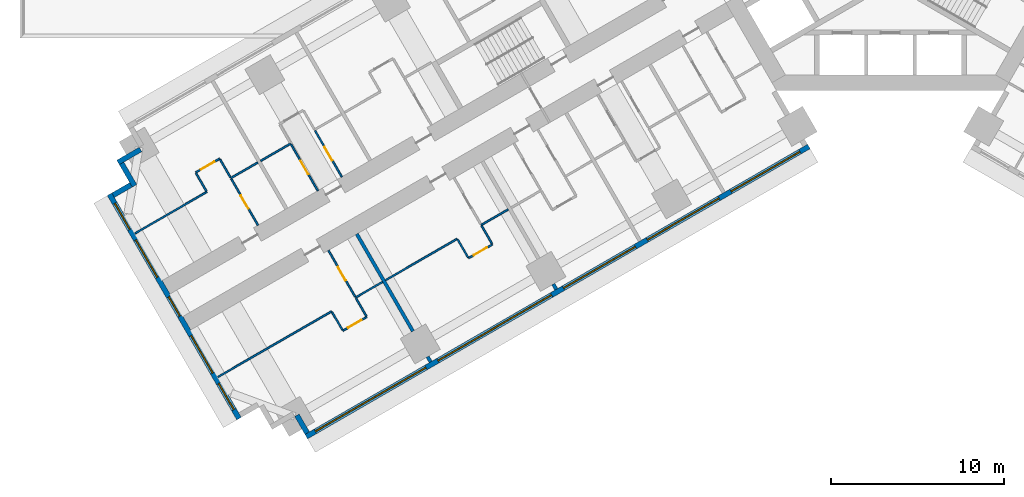
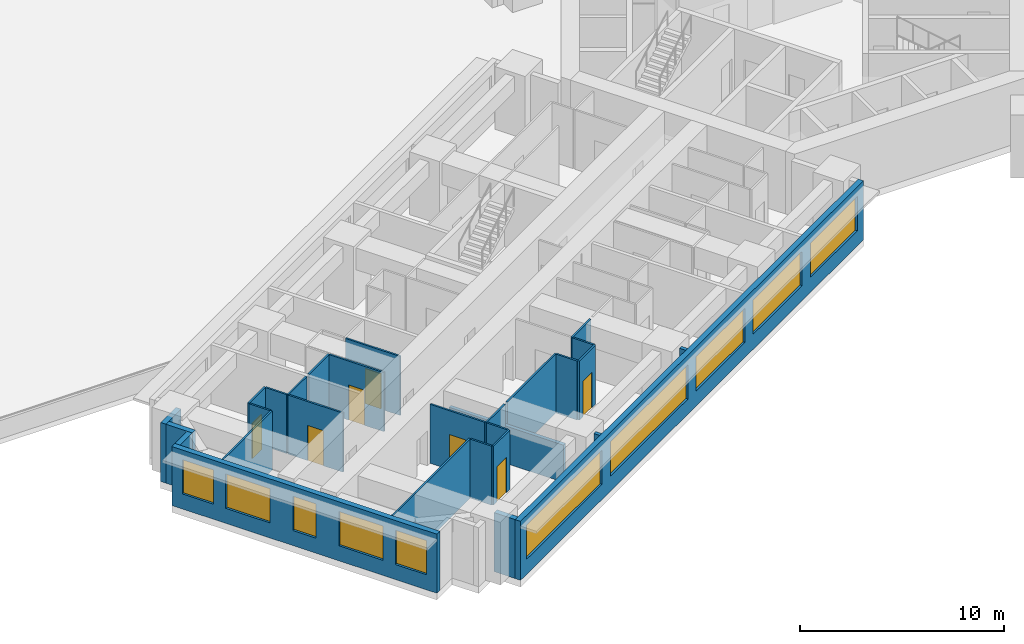
# One storey, part 3 of 18: 29 walls, 10 windows, 7 doors, 17 openings.
"""IFC4 building model written with IfcOpenShell, lengths in metres."""

import ifcopenshell
import ifcopenshell.guid

model = None  # the IFC model being written
_history = None  # IfcOwnerHistory: only IFC2X3 demands one
_inside = {}  # id of a spatial element -> (the spatial element, [elements in it])
_under = {}  # id of a project, library or spatial element -> (it, [spatial elements below it])
_declared = {}  # id of a project -> (the project, [libraries it declares])
_typed = {}  # id of a type object -> (the type object, [elements of that type])
_made_of = {}  # id of a material, layer set ... -> (it, [elements and type objects made of it])


def new_model(schema):
    """Start an empty IFC model of exactly this schema.

    Asked for "IFC4X3", IfcOpenShell would pick the latest addendum, in which some entities
    have other attributes; the version numbers below select the first issue.
    IFC2X3 requires an IfcOwnerHistory on every rooted entity: one is made here for all.
    """
    global model, _history
    if schema == "IFC4X3":
        model = ifcopenshell.file(schema_version=(4, 3, 0, 0))
    else:
        model = ifcopenshell.file(schema=schema)
    _inside.clear()
    _under.clear()
    _declared.clear()
    _typed.clear()
    _made_of.clear()
    _history = None
    if model.schema == "IFC2X3":
        org = make("IfcOrganization", Name="unknown")
        user = make(
            "IfcPersonAndOrganization",
            ThePerson=make("IfcPerson", FamilyName="unknown"),
            TheOrganization=org,
        )
        app = make(
            "IfcApplication",
            ApplicationDeveloper=org,
            Version="unknown",
            ApplicationFullName="unknown",
            ApplicationIdentifier="unknown",
        )
        _history = make(
            "IfcOwnerHistory",
            OwningUser=user,
            OwningApplication=app,
            ChangeAction="ADDED",
            CreationDate=0,
        )
    return model


def make(cls, **values):
    """One entity of the class cls with the attributes given. An attribute that is None is left unset."""
    return model.create_entity(
        cls, **{name: value for name, value in values.items() if value is not None}
    )


def rooted(cls, **values):
    """An entity with a GlobalId (a new one), such as an element, a storey or a relation."""
    return make(cls, GlobalId=ifcopenshell.guid.new(), OwnerHistory=_history, **values)


def si_unit(unit_type, name, prefix=None):
    """IfcSIUnit, for example si_unit("LENGTHUNIT", "METRE", prefix="MILLI")."""
    return make("IfcSIUnit", UnitType=unit_type, Prefix=prefix, Name=name)


def assignment(units):
    """IfcUnitAssignment: the units of a project."""
    return None if units is None else make("IfcUnitAssignment", Units=units)


def point(xyz):
    """IfcCartesianPoint."""
    return None if xyz is None else make("IfcCartesianPoint", Coordinates=xyz)


def direction(xyz):
    """IfcDirection."""
    return None if xyz is None else make("IfcDirection", DirectionRatios=xyz)


def frame(location, z_axis=None, x_axis=None):
    """IfcAxis2Placement3D, a coordinate frame: its origin and axes. An axis left out is left unset."""
    return make(
        "IfcAxis2Placement3D",
        Location=point(location),
        Axis=direction(z_axis),
        RefDirection=direction(x_axis),
    )


def frame_2d(location, x_axis=None):
    """IfcAxis2Placement2D, a coordinate frame in the plane: its origin and x axis."""
    return make(
        "IfcAxis2Placement2D", Location=point(location), RefDirection=direction(x_axis)
    )


def origin():
    """The frame at (0, 0, 0) with its axes left unset."""
    return frame((0.0, 0.0, 0.0))


def place(relative_to, where):
    """IfcLocalPlacement: puts the frame where relative to a parent placement (None: the world)."""
    return make(
        "IfcLocalPlacement", PlacementRelTo=relative_to, RelativePlacement=where
    )


def context(
    kind, dimensions, precision=None, world=None, true_north=None, identifier=None
):
    """IfcGeometricRepresentationContext, for example the 3D "Model" context."""
    return make(
        "IfcGeometricRepresentationContext",
        ContextIdentifier=identifier,
        ContextType=kind,
        CoordinateSpaceDimension=dimensions,
        Precision=precision,
        WorldCoordinateSystem=world,
        TrueNorth=true_north,
    )


def subcontext(parent, identifier, kind, view, scale=None):
    """IfcGeometricRepresentationSubContext, for example "Body" below "Model"."""
    return make(
        "IfcGeometricRepresentationSubContext",
        ContextIdentifier=identifier,
        ContextType=kind,
        ParentContext=parent,
        TargetScale=scale,
        TargetView=view,
    )


def project(units=None, contexts=None):
    """IfcProject with its units and contexts."""
    return rooted(
        "IfcProject",
        Name="project",
        RepresentationContexts=contexts,
        UnitsInContext=assignment(units),
    )


def spatial(cls, under=None, at=None, **own):
    """A site, building, storey or space (cls), placed at a placement, below another one or the project."""
    s = rooted(cls, ObjectPlacement=at, **own)
    if under is not None:
        _under.setdefault(under.id(), (under, []))[1].append(s)
    return s


def profile(cls, at=None, kind="AREA", **sizes):
    """A parametric profile (cls). Its sizes go by their IFC names, for example OverallWidth=200.0."""
    return make(cls, ProfileType=kind, Position=at, **sizes)


def rectangle(**sizes):
    """IfcRectangleProfileDef."""
    return profile("IfcRectangleProfileDef", **sizes)


def extrude(swept, where, along, depth):
    """IfcExtrudedAreaSolid: the profile swept, set in the frame where, extruded along a direction by depth."""
    return make(
        "IfcExtrudedAreaSolid",
        SweptArea=swept,
        Position=where,
        ExtrudedDirection=direction(along),
        Depth=depth,
    )


def shape(context_of_items, identifier, shape_type, items):
    """IfcShapeRepresentation: the items that make up one representation, for example the "Body"."""
    return make(
        "IfcShapeRepresentation",
        ContextOfItems=context_of_items,
        RepresentationIdentifier=identifier,
        RepresentationType=shape_type,
        Items=items,
    )


def material(Name=None, Category=None):
    """IfcMaterial."""
    return make("IfcMaterial", Name=Name, Category=Category)


def layer(
    of_material, thickness, ventilated=None, Name=None, Category=None, Priority=None
):
    """IfcMaterialLayer: one layer of a wall or slab, of a material (None: an air gap)."""
    return make(
        "IfcMaterialLayer",
        Material=of_material,
        LayerThickness=thickness,
        IsVentilated=ventilated,
        Name=Name,
        Category=Category,
        Priority=Priority,
    )


def layer_set(layers, Name=None):
    """IfcMaterialLayerSet."""
    return make("IfcMaterialLayerSet", MaterialLayers=layers, LayerSetName=Name)


def made_of(thing, what):
    """Note that an element or type object is made of a material, layer set ...; save() writes the relation."""
    if what is not None:
        _made_of.setdefault(what.id(), (what, []))[1].append(thing)
    return thing


def type_object(cls, material=None, **own):
    """A type object (cls), such as IfcWallType, which elements share."""
    return made_of(rooted(cls, **own), material)


def element(
    cls,
    number,
    at=None,
    inside=None,
    cuts=None,
    type_object=None,
    material=None,
    context=None,
    identifier="Body",
    shape_type=None,
    held_by="IfcProductDefinitionShape",
    body=None,
    shapes=None,
    **own,
):
    """One element of the class cls, such as IfcWall. Its Tag is "e" and its number.

    at: its placement. inside: the storey or other place that contains it. cuts: it is an
    opening in that element (IfcRelVoidsElement). A single representation is given by context,
    identifier, shape_type and body (its items); several are given by shapes. held_by: the class
    of the entity that holds the representations. save() writes the other relations.
    """
    e = rooted(cls, Tag="e%d" % number, ObjectPlacement=at, **own)
    if body is not None:
        shapes = [shape(context, identifier, shape_type, body)]
    if shapes is not None:
        e.Representation = make(held_by, Representations=shapes)
    if inside is not None:
        _inside.setdefault(inside.id(), (inside, []))[1].append(e)
    if cuts is not None:
        rooted(
            "IfcRelVoidsElement", RelatingBuildingElement=cuts, RelatedOpeningElement=e
        )
    if type_object is not None:
        _typed.setdefault(type_object.id(), (type_object, []))[1].append(e)
    return made_of(e, material)


def fill(opening, filler):
    """IfcRelFillsElement: the door or window that sits in an opening."""
    return rooted(
        "IfcRelFillsElement",
        RelatingOpeningElement=opening,
        RelatedBuildingElement=filler,
    )


def aggregate(whole, parts):
    """IfcRelAggregates: a whole, such as a stair, and the parts it consists of."""
    return rooted("IfcRelAggregates", RelatingObject=whole, RelatedObjects=parts)


def save(model, path):
    """Write the relations noted so far, then the file.

    IfcRelAggregates (storeys below a building ...), IfcRelContainedInSpatialStructure (elements
    in a storey), IfcRelDefinesByType, IfcRelAssociatesMaterial and IfcRelDeclares: one each for
    every whole, place, type object, material and project.
    """
    for whole, parts in _under.values():
        aggregate(whole, parts)
    for where, things in _inside.values():
        rooted(
            "IfcRelContainedInSpatialStructure",
            RelatedElements=things,
            RelatingStructure=where,
        )
    for kind, things in _typed.values():
        rooted("IfcRelDefinesByType", RelatedObjects=things, RelatingType=kind)
    for what, things in _made_of.values():
        rooted("IfcRelAssociatesMaterial", RelatedObjects=things, RelatingMaterial=what)
    for by, libraries in _declared.values():
        rooted("IfcRelDeclares", RelatingContext=by, RelatedDefinitions=libraries)
    model.write(path)


model = new_model("IFC4")

# Units and contexts
model_context = context("Model", 3, precision=1e-05, world=origin(), true_north=direction((0.0, 1.0)))
body_context = subcontext(model_context, "Body", "Model", "MODEL_VIEW")
ifc_project = project(units=[si_unit("LENGTHUNIT", "METRE"), si_unit("AREAUNIT", "SQUARE_METRE"), si_unit("VOLUMEUNIT", "CUBIC_METRE"), si_unit("PLANEANGLEUNIT", "RADIAN"), si_unit("MASSUNIT", "GRAM", prefix="KILO")], contexts=[model_context])

# Site, building, storey
site_placement = place(None, origin())
site = spatial("IfcSite", under=ifc_project, at=site_placement, CompositionType="ELEMENT")
building_placement = place(site_placement, origin())
building = spatial("IfcBuilding", under=site, at=building_placement, Name="Impinga Residences", CompositionType="ELEMENT")
storey_placement = place(building_placement, frame((0.0, 0.0, 26.0)))
storey = spatial("IfcBuildingStorey", under=building, at=storey_placement, Name="L05", CompositionType="ELEMENT", Elevation=26.0)

# Wall
ifc_material_1 = material(Name="Terracotta rainscreen on blockwork", Category="masonry")
ifc_layer_1 = layer(ifc_material_1, 0.300048828125)
ifc_layer_set_1 = layer_set([ifc_layer_1], Name="EW1 external wall, terracotta rainscreen on blockwork 300")
wall_type_1 = type_object("IfcWallType", Name="EW1 external wall, terracotta rainscreen on blockwork 300", PredefinedType="SOLIDWALL", material=ifc_layer_set_1)
wall_1_placement = place(storey_placement, frame((-33.7685546875, -31.274169921875, 0.0), z_axis=(0.0, 0.0, 1.0), x_axis=(-0.499940577336, 0.866059708757, 0.0)))
element("IfcWall", 1, at=wall_1_placement, inside=storey, type_object=wall_type_1, Name="External wall EW1 L05", PredefinedType="SOLIDWALL", context=body_context, shape_type="SweptSolid", body=[
    extrude(rectangle(XDim=1.195068359375, YDim=0.300048828125, at=frame_2d((0.59765625, 0.0))), origin(), (0.0, 0.0, 1.0), 3.530029296875),
])

# Wall, openings, windows
wall_2_placement = place(storey_placement, frame((-37.716552734375, -30.43603515625, 0.0), z_axis=(0.0, 0.0, 1.0), x_axis=(-0.499997186618, 0.866027028085, 0.0)))
wall_2 = element("IfcWall", 2, at=wall_2_placement, inside=storey, type_object=wall_type_1, Name="External wall EW1 L05", PredefinedType="SOLIDWALL", context=body_context, shape_type="SweptSolid", body=[
    extrude(rectangle(XDim=15.0, YDim=0.300048828125, at=frame_2d((7.5, 0.0))), origin(), (0.0, 0.0, 1.0), 3.530029296875),
])
opening_1_placement = place(wall_2_placement, frame((0.60009765625, 0.0, 0.89990234375)))
opening_1 = element("IfcOpeningElement", 3, at=opening_1_placement, cuts=wall_2, Name="Opening W1", PredefinedType="OPENING", context=body_context, shape_type="SweptSolid", body=[
    extrude(rectangle(XDim=1.75, YDim=2.050048828125, at=frame_2d((0.875, 1.02490234375))), frame((0.0, 0.159912109375, 0.0), z_axis=(0.0, -1.0, 0.0), x_axis=(1.0, 0.0, 0.0)), (0.0, 0.0, 1.0), 0.320068359375),
])
opening_2_placement = place(wall_2_placement, frame((3.050048828125, 0.0, 0.89990234375)))
opening_2 = element("IfcOpeningElement", 4, at=opening_2_placement, cuts=wall_2, Name="Opening W2", PredefinedType="OPENING", context=body_context, shape_type="SweptSolid", body=[
    extrude(rectangle(XDim=2.5, YDim=2.050048828125, at=frame_2d((1.25, 1.02490234375))), frame((0.0, 0.159912109375, 0.0), z_axis=(0.0, -1.0, 0.0), x_axis=(1.0, 0.0, 0.0)), (0.0, 0.0, 1.0), 0.320068359375),
])
opening_3_placement = place(wall_2_placement, frame((6.85009765625, 0.0, 0.89990234375)))
opening_3 = element("IfcOpeningElement", 5, at=opening_3_placement, cuts=wall_2, Name="Opening WE1", PredefinedType="OPENING", context=body_context, shape_type="SweptSolid", body=[
    extrude(rectangle(XDim=1.300048828125, YDim=2.050048828125, at=frame_2d((0.64990234375, 1.02490234375))), frame((0.0, 0.159912109375, 0.0), z_axis=(0.0, -1.0, 0.0), x_axis=(1.0, 0.0, 0.0)), (0.0, 0.0, 1.0), 0.320068359375),
])
opening_4_placement = place(wall_2_placement, frame((9.449951171875, 0.0, 0.89990234375)))
opening_4 = element("IfcOpeningElement", 6, at=opening_4_placement, cuts=wall_2, Name="Opening W2", PredefinedType="OPENING", context=body_context, shape_type="SweptSolid", body=[
    extrude(rectangle(XDim=2.5, YDim=2.050048828125, at=frame_2d((1.25, 1.02490234375))), frame((0.0, 0.159912109375, 0.0), z_axis=(0.0, -1.0, 0.0), x_axis=(1.0, 0.0, 0.0)), (0.0, 0.0, 1.0), 0.320068359375),
])
opening_5_placement = place(wall_2_placement, frame((12.64990234375, 0.0, 0.89990234375)))
opening_5 = element("IfcOpeningElement", 7, at=opening_5_placement, cuts=wall_2, Name="Opening W1", PredefinedType="OPENING", context=body_context, shape_type="SweptSolid", body=[
    extrude(rectangle(XDim=1.75, YDim=2.050048828125, at=frame_2d((0.875, 1.02490234375))), frame((0.0, 0.159912109375, 0.0), z_axis=(0.0, -1.0, 0.0), x_axis=(1.0, 0.0, 0.0)), (0.0, 0.0, 1.0), 0.320068359375),
])
ifc_material_2 = material(Name="Aluminium window, clear double glazing", Category="aluminium")
window_type_1 = type_object("IfcWindowType", Name="W1 ribbon window 1750x2050", PartitioningType="SINGLE_PANEL", PredefinedType="WINDOW", material=ifc_material_2)
window_1_placement = place(opening_1_placement, origin())
window_1 = element("IfcWindow", 8, at=window_1_placement, inside=storey, type_object=window_type_1, Name="Window L05", OverallHeight=2.050048828125, OverallWidth=1.75, PartitioningType="SINGLE_PANEL", PredefinedType="WINDOW", context=body_context, shape_type="SweptSolid", body=[
    extrude(rectangle(XDim=1.75, YDim=2.050048828125, at=frame_2d((0.875, 1.02490234375))), frame((0.0, 0.030029296875, 0.0), z_axis=(0.0, -1.0, 0.0), x_axis=(1.0, 0.0, 0.0)), (0.0, 0.0, 1.0), 0.06005859375),
])
fill(opening_1, window_1)
window_2_placement = place(opening_5_placement, origin())
window_2 = element("IfcWindow", 9, at=window_2_placement, inside=storey, type_object=window_type_1, Name="Window L05", OverallHeight=2.050048828125, OverallWidth=1.75, PartitioningType="SINGLE_PANEL", PredefinedType="WINDOW", context=body_context, shape_type="SweptSolid", body=[
    extrude(rectangle(XDim=1.75, YDim=2.050048828125, at=frame_2d((0.875, 1.02490234375))), frame((0.0, 0.030029296875, 0.0), z_axis=(0.0, -1.0, 0.0), x_axis=(1.0, 0.0, 0.0)), (0.0, 0.0, 1.0), 0.06005859375),
])
fill(opening_5, window_2)
window_type_2 = type_object("IfcWindowType", Name="W2 ribbon window 2500x2050", PartitioningType="SINGLE_PANEL", PredefinedType="WINDOW", material=ifc_material_2)
window_3_placement = place(opening_2_placement, origin())
window_3 = element("IfcWindow", 10, at=window_3_placement, inside=storey, type_object=window_type_2, Name="Window L05", OverallHeight=2.050048828125, OverallWidth=2.5, PartitioningType="SINGLE_PANEL", PredefinedType="WINDOW", context=body_context, shape_type="SweptSolid", body=[
    extrude(rectangle(XDim=2.5, YDim=2.050048828125, at=frame_2d((1.25, 1.02490234375))), frame((0.0, 0.030029296875, 0.0), z_axis=(0.0, -1.0, 0.0), x_axis=(1.0, 0.0, 0.0)), (0.0, 0.0, 1.0), 0.06005859375),
])
fill(opening_2, window_3)
window_4_placement = place(opening_4_placement, origin())
window_4 = element("IfcWindow", 11, at=window_4_placement, inside=storey, type_object=window_type_2, Name="Window L05", OverallHeight=2.050048828125, OverallWidth=2.5, PartitioningType="SINGLE_PANEL", PredefinedType="WINDOW", context=body_context, shape_type="SweptSolid", body=[
    extrude(rectangle(XDim=2.5, YDim=2.050048828125, at=frame_2d((1.25, 1.02490234375))), frame((0.0, 0.030029296875, 0.0), z_axis=(0.0, -1.0, 0.0), x_axis=(1.0, 0.0, 0.0)), (0.0, 0.0, 1.0), 0.06005859375),
])
fill(opening_4, window_4)
window_type_3 = type_object("IfcWindowType", Name="WE1 corridor window 1300x2050", PartitioningType="SINGLE_PANEL", PredefinedType="WINDOW", material=ifc_material_2)
window_5_placement = place(opening_3_placement, origin())
window_5 = element("IfcWindow", 12, at=window_5_placement, inside=storey, type_object=window_type_3, Name="Window L05", OverallHeight=2.050048828125, OverallWidth=1.300048828125, PartitioningType="SINGLE_PANEL", PredefinedType="WINDOW", context=body_context, shape_type="SweptSolid", body=[
    extrude(rectangle(XDim=1.300048828125, YDim=2.050048828125, at=frame_2d((0.64990234375, 1.02490234375))), frame((0.0, 0.030029296875, 0.0), z_axis=(0.0, -1.0, 0.0), x_axis=(1.0, 0.0, 0.0)), (0.0, 0.0, 1.0), 0.06005859375),
])
fill(opening_3, window_5)

# Walls
wall_3_placement = place(storey_placement, frame((-45.01171875, -17.50048828125, 0.0), z_axis=(0.0, 0.0, 1.0), x_axis=(0.866059708757, 0.499940577336, 0.0)))
element("IfcWall", 13, at=wall_3_placement, inside=storey, type_object=wall_type_1, Name="External wall EW1 L05", PredefinedType="SOLIDWALL", context=body_context, shape_type="SweptSolid", body=[
    extrude(rectangle(XDim=1.195068359375, YDim=0.300048828125, at=frame_2d((0.59765625, 0.0))), origin(), (0.0, 0.0, 1.0), 3.530029296875),
])
for number, where, z_axis, x_axis, name in (
    (14, (-43.767578125, -16.955322265625, 0.0), (0.0, 0.0, 1.0), (-0.499990139034, 0.866031096941, 0.0), "External wall EW1 L05"),
    (15, (-44.722412109375, -15.6015625, 0.0), (0.0, 0.0, 1.0), (0.866031096941, 0.499990139034, 0.0), "External wall EW1 L05"),
):
    element("IfcWall", number, at=place(storey_placement, frame(where, z_axis=z_axis, x_axis=x_axis)), inside=storey, type_object=wall_type_1, Name=name, PredefinedType="SOLIDWALL", context=body_context, shape_type="SweptSolid", body=[
        extrude(rectangle(XDim=1.5, YDim=0.300048828125, at=frame_2d((0.75, 0.0))), origin(), (0.0, 0.0, 1.0), 3.530029296875),
    ])

# Wall, openings, windows
wall_4_placement = place(storey_placement, frame((-4.72509765625, -14.67919921875, 0.0), z_axis=(0.0, 0.0, 1.0), x_axis=(-0.866024291668, -0.500001926238, 0.0)))
wall_4 = element("IfcWall", 16, at=wall_4_placement, inside=storey, type_object=wall_type_1, Name="External wall EW1 L05", PredefinedType="SOLIDWALL", context=body_context, shape_type="SweptSolid", body=[
    extrude(rectangle(XDim=33.599853515625, YDim=0.300048828125, at=frame_2d((16.7998046875, 0.0))), origin(), (0.0, 0.0, 1.0), 3.530029296875),
])
opening_6_placement = place(wall_4_placement, frame((0.60009765625, 0.0, 0.89990234375)))
opening_6 = element("IfcOpeningElement", 17, at=opening_6_placement, cuts=wall_4, Name="Opening W3", PredefinedType="OPENING", context=body_context, shape_type="SweptSolid", body=[
    extrude(rectangle(XDim=4.60009765625, YDim=2.050048828125, at=frame_2d((2.300048828125, 1.02490234375))), frame((0.0, 0.159912109375, 0.0), z_axis=(0.0, -1.0, 0.0), x_axis=(1.0, 0.0, 0.0)), (0.0, 0.0, 1.0), 0.320068359375),
])
opening_7_placement = place(wall_4_placement, frame((6.0, 0.0, 0.89990234375)))
opening_7 = element("IfcOpeningElement", 18, at=opening_7_placement, cuts=wall_4, Name="Opening W8", PredefinedType="OPENING", context=body_context, shape_type="SweptSolid", body=[
    extrude(rectangle(XDim=4.800048828125, YDim=2.050048828125, at=frame_2d((2.39990234375, 1.02490234375))), frame((0.0, 0.159912109375, 0.0), z_axis=(0.0, -1.0, 0.0), x_axis=(1.0, 0.0, 0.0)), (0.0, 0.0, 1.0), 0.320068359375),
])
opening_8_placement = place(wall_4_placement, frame((11.60009765625, 0.0, 0.89990234375)))
opening_8 = element("IfcOpeningElement", 19, at=opening_8_placement, cuts=wall_4, Name="Opening W8", PredefinedType="OPENING", context=body_context, shape_type="SweptSolid", body=[
    extrude(rectangle(XDim=4.800048828125, YDim=2.050048828125, at=frame_2d((2.39990234375, 1.02490234375))), frame((0.0, 0.159912109375, 0.0), z_axis=(0.0, -1.0, 0.0), x_axis=(1.0, 0.0, 0.0)), (0.0, 0.0, 1.0), 0.320068359375),
])
opening_9_placement = place(wall_4_placement, frame((17.199951171875, 0.0, 0.89990234375)))
opening_9 = element("IfcOpeningElement", 20, at=opening_9_placement, cuts=wall_4, Name="Opening W5", PredefinedType="OPENING", context=body_context, shape_type="SweptSolid", body=[
    extrude(rectangle(XDim=7.60009765625, YDim=2.050048828125, at=frame_2d((3.800048828125, 1.02490234375))), frame((0.0, 0.159912109375, 0.0), z_axis=(0.0, -1.0, 0.0), x_axis=(1.0, 0.0, 0.0)), (0.0, 0.0, 1.0), 0.320068359375),
])
opening_10_placement = place(wall_4_placement, frame((25.60009765625, 0.0, 0.89990234375)))
opening_10 = element("IfcOpeningElement", 21, at=opening_10_placement, cuts=wall_4, Name="Opening W12", PredefinedType="OPENING", context=body_context, shape_type="SweptSolid", body=[
    extrude(rectangle(XDim=7.39990234375, YDim=2.050048828125, at=frame_2d((3.699951171875, 1.02490234375))), frame((0.0, 0.159912109375, 0.0), z_axis=(0.0, -1.0, 0.0), x_axis=(1.0, 0.0, 0.0)), (0.0, 0.0, 1.0), 0.320068359375),
])
window_type_4 = type_object("IfcWindowType", Name="W12 ribbon window 7400x2050", PartitioningType="SINGLE_PANEL", PredefinedType="WINDOW", material=ifc_material_2)
window_6_placement = place(opening_10_placement, origin())
window_6 = element("IfcWindow", 22, at=window_6_placement, inside=storey, type_object=window_type_4, Name="Window L05", OverallHeight=2.050048828125, OverallWidth=7.39990234375, PartitioningType="SINGLE_PANEL", PredefinedType="WINDOW", context=body_context, shape_type="SweptSolid", body=[
    extrude(rectangle(XDim=7.39990234375, YDim=2.050048828125, at=frame_2d((3.699951171875, 1.02490234375))), frame((0.0, 0.030029296875, 0.0), z_axis=(0.0, -1.0, 0.0), x_axis=(1.0, 0.0, 0.0)), (0.0, 0.0, 1.0), 0.06005859375),
])
fill(opening_10, window_6)
window_type_5 = type_object("IfcWindowType", Name="W3 ribbon window 4600x2050", PartitioningType="SINGLE_PANEL", PredefinedType="WINDOW", material=ifc_material_2)
window_7_placement = place(opening_6_placement, origin())
window_7 = element("IfcWindow", 23, at=window_7_placement, inside=storey, type_object=window_type_5, Name="Window L05", OverallHeight=2.050048828125, OverallWidth=4.60009765625, PartitioningType="SINGLE_PANEL", PredefinedType="WINDOW", context=body_context, shape_type="SweptSolid", body=[
    extrude(rectangle(XDim=4.60009765625, YDim=2.050048828125, at=frame_2d((2.300048828125, 1.02490234375))), frame((0.0, 0.030029296875, 0.0), z_axis=(0.0, -1.0, 0.0), x_axis=(1.0, 0.0, 0.0)), (0.0, 0.0, 1.0), 0.06005859375),
])
fill(opening_6, window_7)
window_type_6 = type_object("IfcWindowType", Name="W5 ribbon window 7600x2050", PartitioningType="SINGLE_PANEL", PredefinedType="WINDOW", material=ifc_material_2)
window_8_placement = place(opening_9_placement, origin())
window_8 = element("IfcWindow", 24, at=window_8_placement, inside=storey, type_object=window_type_6, Name="Window L05", OverallHeight=2.050048828125, OverallWidth=7.60009765625, PartitioningType="SINGLE_PANEL", PredefinedType="WINDOW", context=body_context, shape_type="SweptSolid", body=[
    extrude(rectangle(XDim=7.60009765625, YDim=2.050048828125, at=frame_2d((3.800048828125, 1.02490234375))), frame((0.0, 0.030029296875, 0.0), z_axis=(0.0, -1.0, 0.0), x_axis=(1.0, 0.0, 0.0)), (0.0, 0.0, 1.0), 0.06005859375),
])
fill(opening_9, window_8)
window_type_7 = type_object("IfcWindowType", Name="W8 ribbon window 4800x2050", PartitioningType="SINGLE_PANEL", PredefinedType="WINDOW", material=ifc_material_2)
window_9_placement = place(opening_7_placement, origin())
window_9 = element("IfcWindow", 25, at=window_9_placement, inside=storey, type_object=window_type_7, Name="Window L05", OverallHeight=2.050048828125, OverallWidth=4.800048828125, PartitioningType="SINGLE_PANEL", PredefinedType="WINDOW", context=body_context, shape_type="SweptSolid", body=[
    extrude(rectangle(XDim=4.800048828125, YDim=2.050048828125, at=frame_2d((2.39990234375, 1.02490234375))), frame((0.0, 0.030029296875, 0.0), z_axis=(0.0, -1.0, 0.0), x_axis=(1.0, 0.0, 0.0)), (0.0, 0.0, 1.0), 0.06005859375),
])
fill(opening_7, window_9)
window_10_placement = place(opening_8_placement, origin())
window_10 = element("IfcWindow", 26, at=window_10_placement, inside=storey, type_object=window_type_7, Name="Window L05", OverallHeight=2.050048828125, OverallWidth=4.800048828125, PartitioningType="SINGLE_PANEL", PredefinedType="WINDOW", context=body_context, shape_type="SweptSolid", body=[
    extrude(rectangle(XDim=4.800048828125, YDim=2.050048828125, at=frame_2d((2.39990234375, 1.02490234375))), frame((0.0, 0.030029296875, 0.0), z_axis=(0.0, -1.0, 0.0), x_axis=(1.0, 0.0, 0.0)), (0.0, 0.0, 1.0), 0.06005859375),
])
fill(opening_8, window_10)

# Walls
ifc_material_3 = material(Name="Gypsum board on steel studs", Category="steel")
ifc_layer_2 = layer(ifc_material_3, 0.10009765625)
ifc_layer_set_2 = layer_set([ifc_layer_2], Name="Gypsum board on steel studs")
wall_type_2 = type_object("IfcWallType", Name="IP1 partition 100", PredefinedType="PARTITIONING", material=ifc_layer_set_2)
wall_5_placement = place(storey_placement, frame((-22.1357421875, -18.32275390625, 0.0), z_axis=(0.0, 0.0, 1.0), x_axis=(-0.866047807691, -0.499961193289, 0.0)))
element("IfcWall", 27, at=wall_5_placement, inside=storey, type_object=wall_type_2, Name="Partition L05-WA4:DIV0", PredefinedType="PARTITIONING", context=body_context, shape_type="SweptSolid", body=[
    extrude(rectangle(XDim=1.800048828125, YDim=0.10009765625, at=frame_2d((0.89990234375, 0.0))), origin(), (0.0, 0.0, 1.0), 3.530029296875),
])
wall_6_placement = place(storey_placement, frame((-25.080322265625, -20.022705078125, 0.0), z_axis=(0.0, 0.0, 1.0), x_axis=(-0.866037363387, -0.499979284789, 0.0)))
element("IfcWall", 28, at=wall_6_placement, inside=storey, type_object=wall_type_2, Name="Partition L05-WA4:DIV1", PredefinedType="PARTITIONING", context=body_context, shape_type="SweptSolid", body=[
    extrude(rectangle(XDim=4.800048828125, YDim=0.10009765625, at=frame_2d((2.39990234375, 0.0))), origin(), (0.0, 0.0, 1.0), 3.530029296875),
])

# Wall, opening, door
wall_7_placement = place(storey_placement, frame((-23.044677734375, -20.3486328125, 0.0), z_axis=(0.0, 0.0, 1.0), x_axis=(-0.866094119867, -0.499880961361, 0.0)))
wall_7 = element("IfcWall", 29, at=wall_7_placement, inside=storey, type_object=wall_type_2, Name="Partition L05-WA4:STRIP", PredefinedType="PARTITIONING", context=body_context, shape_type="SweptSolid", body=[
    extrude(rectangle(XDim=1.60009765625, YDim=0.10009765625, at=frame_2d((0.800048828125, 0.0))), origin(), (0.0, 0.0, 1.0), 3.530029296875),
])
opening_11_placement = place(wall_7_placement, frame((0.35009765625, 0.0, 0.0)))
opening_11 = element("IfcOpeningElement", 30, at=opening_11_placement, cuts=wall_7, Name="Opening D2", PredefinedType="OPENING", context=body_context, shape_type="SweptSolid", body=[
    extrude(rectangle(XDim=0.89990234375, YDim=2.10009765625, at=frame_2d((0.449951171875, 1.050048828125))), frame((0.0, 0.06005859375, 0.0), z_axis=(0.0, -1.0, 0.0), x_axis=(1.0, 0.0, 0.0)), (0.0, 0.0, 1.0), 0.1201171875),
])
ifc_material_4 = material(Name="Timber door set", Category="wood")
door_type = type_object("IfcDoorType", Name="D2 internal door 900x2100", OperationType="SINGLE_SWING_LEFT", PredefinedType="DOOR", material=ifc_material_4)
door_1_placement = place(opening_11_placement, origin())
door_1 = element("IfcDoor", 31, at=door_1_placement, inside=storey, type_object=door_type, Name="Apartment L05-WA4 room door", OperationType="SINGLE_SWING_LEFT", OverallHeight=2.10009765625, OverallWidth=0.89990234375, PredefinedType="DOOR", context=body_context, shape_type="SweptSolid", body=[
    extrude(rectangle(XDim=0.89990234375, YDim=2.10009765625, at=frame_2d((0.449951171875, 1.050048828125))), frame((0.0, 0.02490234375, 0.0), z_axis=(0.0, -1.0, 0.0), x_axis=(1.0, 0.0, 0.0)), (0.0, 0.0, 1.0), 0.050048828125),
])
fill(opening_11, door_1)

# Walls
for number, where, z_axis, x_axis, name in (
    (32, (-23.669677734375, -19.265869140625, 0.0), (0.0, 0.0, 1.0), (0.500033551112, -0.866006032174, 0.0), "Partition L05-WA4:SE0"),
    (33, (-25.055419921875, -20.06591796875, 0.0), (0.0, 0.0, 1.0), (0.500033551112, -0.866006032174, 0.0), "Partition L05-WA4:SE1"),
):
    element("IfcWall", number, at=place(storey_placement, frame(where, z_axis=z_axis, x_axis=x_axis)), inside=storey, type_object=wall_type_2, Name=name, PredefinedType="PARTITIONING", context=body_context, shape_type="SweptSolid", body=[
        extrude(rectangle(XDim=1.2001953125, YDim=0.10009765625, at=frame_2d((0.60009765625, 0.0))), origin(), (0.0, 0.0, 1.0), 3.530029296875),
    ])
wall_8_placement = place(storey_placement, frame((-29.410400390625, -22.522705078125, 0.0), z_axis=(0.0, 0.0, 1.0), x_axis=(-0.866047807691, -0.499961193289, 0.0)))
element("IfcWall", 34, at=wall_8_placement, inside=storey, type_object=wall_type_2, Name="Partition L05-WA5:DIV0", PredefinedType="PARTITIONING", context=body_context, shape_type="SweptSolid", body=[
    extrude(rectangle(XDim=1.800048828125, YDim=0.10009765625, at=frame_2d((0.89990234375, 0.0))), origin(), (0.0, 0.0, 1.0), 3.530029296875),
])
wall_9_placement = place(storey_placement, frame((-32.35498046875, -24.22265625, 0.0), z_axis=(0.0, 0.0, 1.0), x_axis=(-0.866022425744, -0.500005158081, 0.0)))
element("IfcWall", 35, at=wall_9_placement, inside=storey, type_object=wall_type_2, Name="Partition L05-WA5:DIV1", PredefinedType="PARTITIONING", context=body_context, shape_type="SweptSolid", body=[
    extrude(rectangle(XDim=7.60009765625, YDim=0.10009765625, at=frame_2d((3.800048828125, 0.0))), origin(), (0.0, 0.0, 1.0), 3.530029296875),
])

# Wall, opening, door
wall_10_placement = place(storey_placement, frame((-30.3193359375, -24.548583984375, 0.0), z_axis=(0.0, 0.0, 1.0), x_axis=(-0.865989903783, -0.500061482766, 0.0)))
wall_10 = element("IfcWall", 36, at=wall_10_placement, inside=storey, type_object=wall_type_2, Name="Partition L05-WA5:STRIP", PredefinedType="PARTITIONING", context=body_context, shape_type="SweptSolid", body=[
    extrude(rectangle(XDim=1.599853515625, YDim=0.10009765625, at=frame_2d((0.7998046875, 0.0))), origin(), (0.0, 0.0, 1.0), 3.530029296875),
])
opening_12_placement = place(wall_10_placement, frame((0.35009765625, 0.0, 0.0)))
opening_12 = element("IfcOpeningElement", 37, at=opening_12_placement, cuts=wall_10, Name="Opening D2", PredefinedType="OPENING", context=body_context, shape_type="SweptSolid", body=[
    extrude(rectangle(XDim=0.89990234375, YDim=2.10009765625, at=frame_2d((0.449951171875, 1.050048828125))), frame((0.0, 0.06005859375, 0.0), z_axis=(0.0, -1.0, 0.0), x_axis=(1.0, 0.0, 0.0)), (0.0, 0.0, 1.0), 0.1201171875),
])
door_2_placement = place(opening_12_placement, origin())
door_2 = element("IfcDoor", 38, at=door_2_placement, inside=storey, type_object=door_type, Name="Apartment L05-WA5 room door", OperationType="SINGLE_SWING_LEFT", OverallHeight=2.10009765625, OverallWidth=0.89990234375, PredefinedType="DOOR", context=body_context, shape_type="SweptSolid", body=[
    extrude(rectangle(XDim=0.89990234375, YDim=2.10009765625, at=frame_2d((0.449951171875, 1.050048828125))), frame((0.0, 0.02490234375, 0.0), z_axis=(0.0, -1.0, 0.0), x_axis=(1.0, 0.0, 0.0)), (0.0, 0.0, 1.0), 0.050048828125),
])
fill(opening_12, door_2)

# Walls
for number, where, z_axis, x_axis, name in (
    (39, (-30.9443359375, -23.466064453125, 0.0), (0.0, 0.0, 1.0), (0.50012165622, -0.865955154139, 0.0), "Partition L05-WA5:SE0"),
    (40, (-32.329833984375, -24.265869140625, 0.0), (0.0, 0.0, 1.0), (0.499880961361, -0.866094119867, 0.0), "Partition L05-WA5:SE1"),
):
    element("IfcWall", number, at=place(storey_placement, frame(where, z_axis=z_axis, x_axis=x_axis)), inside=storey, type_object=wall_type_2, Name=name, PredefinedType="PARTITIONING", context=body_context, shape_type="SweptSolid", body=[
        extrude(rectangle(XDim=1.199951171875, YDim=0.10009765625, at=frame_2d((0.60009765625, 0.0))), origin(), (0.0, 0.0, 1.0), 3.530029296875),
    ])

# Wall, opening, door
wall_11_placement = place(storey_placement, frame((-32.544189453125, -20.69482421875, 0.0), z_axis=(0.0, 0.0, 1.0), x_axis=(0.499967891604, -0.866043940782, 0.0)))
wall_11 = element("IfcWall", 41, at=wall_11_placement, inside=storey, type_object=wall_type_2, Name="Partition L05-WA5:IB1", PredefinedType="PARTITIONING", context=body_context, shape_type="SweptSolid", body=[
    extrude(rectangle(XDim=3.099853515625, YDim=0.10009765625, at=frame_2d((1.5498046875, 0.0))), origin(), (0.0, 0.0, 1.0), 3.530029296875),
])
opening_13_placement = place(wall_11_placement, frame((1.10009765625, 0.0, 0.0)))
opening_13 = element("IfcOpeningElement", 42, at=opening_13_placement, cuts=wall_11, Name="Opening D2", PredefinedType="OPENING", context=body_context, shape_type="SweptSolid", body=[
    extrude(rectangle(XDim=0.89990234375, YDim=2.10009765625, at=frame_2d((0.449951171875, 1.050048828125))), frame((0.0, 0.06005859375, 0.0), z_axis=(0.0, -1.0, 0.0), x_axis=(1.0, 0.0, 0.0)), (0.0, 0.0, 1.0), 0.1201171875),
])
door_3_placement = place(opening_13_placement, origin())
door_3 = element("IfcDoor", 43, at=door_3_placement, inside=storey, type_object=door_type, Name="Apartment L05-WA5 bathroom door", OperationType="SINGLE_SWING_LEFT", OverallHeight=2.10009765625, OverallWidth=0.89990234375, PredefinedType="DOOR", context=body_context, shape_type="SweptSolid", body=[
    extrude(rectangle(XDim=0.89990234375, YDim=2.10009765625, at=frame_2d((0.449951171875, 1.050048828125))), frame((0.0, 0.02490234375, 0.0), z_axis=(0.0, -1.0, 0.0), x_axis=(1.0, 0.0, 0.0)), (0.0, 0.0, 1.0), 0.050048828125),
])
fill(opening_13, door_3)

# Wall
wall_12_placement = place(storey_placement, frame((-34.72998046875, -14.5087890625, 0.0), z_axis=(0.0, 0.0, 1.0), x_axis=(-0.866041268327, -0.499972520799, 0.0)))
element("IfcWall", 44, at=wall_12_placement, inside=storey, type_object=wall_type_2, Name="Partition L05-WF3:DIV1", PredefinedType="PARTITIONING", context=body_context, shape_type="SweptSolid", body=[
    extrude(rectangle(XDim=2.0, YDim=0.10009765625, at=frame_2d((1.0, 0.0))), origin(), (0.0, 0.0, 1.0), 3.530029296875),
])

# Wall, opening, door
wall_13_placement = place(storey_placement, frame((-31.76953125, -16.436767578125, 0.0), z_axis=(0.0, 0.0, 1.0), x_axis=(-0.499967891604, 0.866043940782, 0.0)))
wall_13 = element("IfcWall", 45, at=wall_13_placement, inside=storey, type_object=wall_type_2, Name="Partition L05-WF3:IB1", PredefinedType="PARTITIONING", context=body_context, shape_type="SweptSolid", body=[
    extrude(rectangle(XDim=3.099853515625, YDim=0.10009765625, at=frame_2d((1.5498046875, 0.0))), origin(), (0.0, 0.0, 1.0), 3.530029296875),
])
opening_14_placement = place(wall_13_placement, frame((1.10009765625, 0.0, 0.0)))
opening_14 = element("IfcOpeningElement", 46, at=opening_14_placement, cuts=wall_13, Name="Opening D2", PredefinedType="OPENING", context=body_context, shape_type="SweptSolid", body=[
    extrude(rectangle(XDim=0.89990234375, YDim=2.10009765625, at=frame_2d((0.449951171875, 1.050048828125))), frame((0.0, 0.06005859375, 0.0), z_axis=(0.0, -1.0, 0.0), x_axis=(1.0, 0.0, 0.0)), (0.0, 0.0, 1.0), 0.1201171875),
])
door_4_placement = place(opening_14_placement, origin())
door_4 = element("IfcDoor", 47, at=door_4_placement, inside=storey, type_object=door_type, Name="Apartment L05-WF3 bathroom door", OperationType="SINGLE_SWING_LEFT", OverallHeight=2.10009765625, OverallWidth=0.89990234375, PredefinedType="DOOR", context=body_context, shape_type="SweptSolid", body=[
    extrude(rectangle(XDim=0.89990234375, YDim=2.10009765625, at=frame_2d((0.449951171875, 1.050048828125))), frame((0.0, 0.02490234375, 0.0), z_axis=(0.0, -1.0, 0.0), x_axis=(1.0, 0.0, 0.0)), (0.0, 0.0, 1.0), 0.050048828125),
])
fill(opening_14, door_4)

wall_14_placement = place(storey_placement, frame((-33.155029296875, -17.23681640625, 0.0), z_axis=(0.0, 0.0, 1.0), x_axis=(-0.500026960575, 0.86600983753, 0.0)))
wall_14 = element("IfcWall", 48, at=wall_14_placement, inside=storey, type_object=wall_type_2, Name="Partition L05-WF3:IB2", PredefinedType="PARTITIONING", context=body_context, shape_type="SweptSolid", body=[
    extrude(rectangle(XDim=3.099853515625, YDim=0.10009765625, at=frame_2d((1.5498046875, 0.0))), origin(), (0.0, 0.0, 1.0), 3.530029296875),
])
opening_15_placement = place(wall_14_placement, frame((1.10009765625, 0.0, 0.0)))
opening_15 = element("IfcOpeningElement", 49, at=opening_15_placement, cuts=wall_14, Name="Opening D2", PredefinedType="OPENING", context=body_context, shape_type="SweptSolid", body=[
    extrude(rectangle(XDim=0.89990234375, YDim=2.10009765625, at=frame_2d((0.449951171875, 1.050048828125))), frame((0.0, 0.06005859375, 0.0), z_axis=(0.0, -1.0, 0.0), x_axis=(1.0, 0.0, 0.0)), (0.0, 0.0, 1.0), 0.1201171875),
])
door_5_placement = place(opening_15_placement, origin())
door_5 = element("IfcDoor", 50, at=door_5_placement, inside=storey, type_object=door_type, Name="Apartment L05-WF3 WC door", OperationType="SINGLE_SWING_LEFT", OverallHeight=2.10009765625, OverallWidth=0.89990234375, PredefinedType="DOOR", context=body_context, shape_type="SweptSolid", body=[
    extrude(rectangle(XDim=0.89990234375, YDim=2.10009765625, at=frame_2d((0.449951171875, 1.050048828125))), frame((0.0, 0.02490234375, 0.0), z_axis=(0.0, -1.0, 0.0), x_axis=(1.0, 0.0, 0.0)), (0.0, 0.0, 1.0), 0.050048828125),
])
fill(opening_15, door_5)

# Walls
wall_15_placement = place(storey_placement, frame((-36.63525390625, -15.60888671875, 0.0), z_axis=(0.0, 0.0, 1.0), x_axis=(-0.866047807691, -0.499961193289, 0.0)))
element("IfcWall", 51, at=wall_15_placement, inside=storey, type_object=wall_type_2, Name="Partition L05-WF4:DIV0", PredefinedType="PARTITIONING", context=body_context, shape_type="SweptSolid", body=[
    extrude(rectangle(XDim=1.800048828125, YDim=0.10009765625, at=frame_2d((0.89990234375, 0.0))), origin(), (0.0, 0.0, 1.0), 3.530029296875),
])
wall_16_placement = place(storey_placement, frame((-39.579833984375, -17.308837890625, 0.0), z_axis=(0.0, 0.0, 1.0), x_axis=(-0.866037363387, -0.499979284789, 0.0)))
element("IfcWall", 52, at=wall_16_placement, inside=storey, type_object=wall_type_2, Name="Partition L05-WF4:DIV1", PredefinedType="PARTITIONING", context=body_context, shape_type="SweptSolid", body=[
    extrude(rectangle(XDim=4.800048828125, YDim=0.10009765625, at=frame_2d((2.39990234375, 0.0))), origin(), (0.0, 0.0, 1.0), 3.530029296875),
])

# Wall, opening, door
wall_17_placement = place(storey_placement, frame((-38.84423828125, -15.383056640625, 0.0), z_axis=(0.0, 0.0, 1.0), x_axis=(-0.865989903783, -0.500061482766, 0.0)))
wall_17 = element("IfcWall", 53, at=wall_17_placement, inside=storey, type_object=wall_type_2, Name="Partition L05-WF4:STRIP", PredefinedType="PARTITIONING", context=body_context, shape_type="SweptSolid", body=[
    extrude(rectangle(XDim=1.599853515625, YDim=0.10009765625, at=frame_2d((0.7998046875, 0.0))), origin(), (0.0, 0.0, 1.0), 3.530029296875),
])
opening_16_placement = place(wall_17_placement, frame((0.35009765625, 0.0, 0.0)))
opening_16 = element("IfcOpeningElement", 54, at=opening_16_placement, cuts=wall_17, Name="Opening D2", PredefinedType="OPENING", context=body_context, shape_type="SweptSolid", body=[
    extrude(rectangle(XDim=0.89990234375, YDim=2.10009765625, at=frame_2d((0.449951171875, 1.050048828125))), frame((0.0, 0.06005859375, 0.0), z_axis=(0.0, -1.0, 0.0), x_axis=(1.0, 0.0, 0.0)), (0.0, 0.0, 1.0), 0.1201171875),
])
door_6_placement = place(opening_16_placement, origin())
door_6 = element("IfcDoor", 55, at=door_6_placement, inside=storey, type_object=door_type, Name="Apartment L05-WF4 room door", OperationType="SINGLE_SWING_LEFT", OverallHeight=2.10009765625, OverallWidth=0.89990234375, PredefinedType="DOOR", context=body_context, shape_type="SweptSolid", body=[
    extrude(rectangle(XDim=0.89990234375, YDim=2.10009765625, at=frame_2d((0.449951171875, 1.050048828125))), frame((0.0, 0.02490234375, 0.0), z_axis=(0.0, -1.0, 0.0), x_axis=(1.0, 0.0, 0.0)), (0.0, 0.0, 1.0), 0.050048828125),
])
fill(opening_16, door_6)

# Walls
wall_18_placement = place(storey_placement, frame((-38.21923828125, -16.465576171875, 0.0), z_axis=(0.0, 0.0, 1.0), x_axis=(-0.499880961361, 0.866094119867, 0.0)))
element("IfcWall", 56, at=wall_18_placement, inside=storey, type_object=wall_type_2, Name="Partition L05-WF4:SE0", PredefinedType="PARTITIONING", context=body_context, shape_type="SweptSolid", body=[
    extrude(rectangle(XDim=1.199951171875, YDim=0.10009765625, at=frame_2d((0.60009765625, 0.0))), origin(), (0.0, 0.0, 1.0), 3.530029296875),
])
wall_19_placement = place(storey_placement, frame((-39.604736328125, -17.265625, 0.0), z_axis=(0.0, 0.0, 1.0), x_axis=(-0.500033551112, 0.866006032174, 0.0)))
element("IfcWall", 57, at=wall_19_placement, inside=storey, type_object=wall_type_2, Name="Partition L05-WF4:SE1", PredefinedType="PARTITIONING", context=body_context, shape_type="SweptSolid", body=[
    extrude(rectangle(XDim=1.2001953125, YDim=0.10009765625, at=frame_2d((0.60009765625, 0.0))), origin(), (0.0, 0.0, 1.0), 3.530029296875),
])

# Wall, opening, door
wall_20_placement = place(storey_placement, frame((-36.619140625, -19.23681640625, 0.0), z_axis=(0.0, 0.0, 1.0), x_axis=(-0.500026960575, 0.86600983753, 0.0)))
wall_20 = element("IfcWall", 58, at=wall_20_placement, inside=storey, type_object=wall_type_2, Name="Partition L05-WF4:IB1", PredefinedType="PARTITIONING", context=body_context, shape_type="SweptSolid", body=[
    extrude(rectangle(XDim=3.099853515625, YDim=0.10009765625, at=frame_2d((1.5498046875, 0.0))), origin(), (0.0, 0.0, 1.0), 3.530029296875),
])
opening_17_placement = place(wall_20_placement, frame((1.10009765625, 0.0, 0.0)))
opening_17 = element("IfcOpeningElement", 59, at=opening_17_placement, cuts=wall_20, Name="Opening D2", PredefinedType="OPENING", context=body_context, shape_type="SweptSolid", body=[
    extrude(rectangle(XDim=0.89990234375, YDim=2.10009765625, at=frame_2d((0.449951171875, 1.050048828125))), frame((0.0, 0.06005859375, 0.0), z_axis=(0.0, -1.0, 0.0), x_axis=(1.0, 0.0, 0.0)), (0.0, 0.0, 1.0), 0.1201171875),
])
door_7_placement = place(opening_17_placement, origin())
door_7 = element("IfcDoor", 60, at=door_7_placement, inside=storey, type_object=door_type, Name="Apartment L05-WF4 bathroom door", OperationType="SINGLE_SWING_LEFT", OverallHeight=2.10009765625, OverallWidth=0.89990234375, PredefinedType="DOOR", context=body_context, shape_type="SweptSolid", body=[
    extrude(rectangle(XDim=0.89990234375, YDim=2.10009765625, at=frame_2d((0.449951171875, 1.050048828125))), frame((0.0, 0.02490234375, 0.0), z_axis=(0.0, -1.0, 0.0), x_axis=(1.0, 0.0, 0.0)), (0.0, 0.0, 1.0), 0.050048828125),
])
fill(opening_17, door_7)

# Walls
ifc_material_5 = material(Name="Concrete blockwork", Category="masonry")
ifc_layer_3 = layer(ifc_material_5, 0.199951171875)
ifc_layer_set_3 = layer_set([ifc_layer_3], Name="PW1 party wall between apartments 200")
wall_type_3 = type_object("IfcWallType", Name="PW1 party wall between apartments 200", PredefinedType="SOLIDWALL", material=ifc_layer_set_3)
wall_21_placement = place(storey_placement, frame((-19.524169921875, -22.64599609375, 0.0), z_axis=(0.0, 0.0, 1.0), x_axis=(0.49996389635, -0.866046247233, 0.0)))
element("IfcWall", 61, at=wall_21_placement, inside=storey, type_object=wall_type_3, Name="Party wall between apartments L05-WA3:PARTYb", PredefinedType="SOLIDWALL", context=body_context, shape_type="SweptSolid", body=[
    extrude(rectangle(XDim=0.35009765625, YDim=0.199951171875, at=frame_2d((0.175048828125, 0.0))), origin(), (0.0, 0.0, 1.0), 3.530029296875),
])
wall_22_placement = place(storey_placement, frame((-30.89892578125, -19.74462890625, 0.0), z_axis=(0.0, 0.0, 1.0), x_axis=(0.50000098154, -0.866024837091, 0.0)))
element("IfcWall", 62, at=wall_22_placement, inside=storey, type_object=wall_type_3, Name="Party wall between apartments L05-WA4:PARTY", PredefinedType="SOLIDWALL", context=body_context, shape_type="SweptSolid", body=[
    extrude(rectangle(XDim=6.5, YDim=0.199951171875, at=frame_2d((3.25, 0.0))), origin(), (0.0, 0.0, 1.0), 2.22998046875),
])
wall_23_placement = place(storey_placement, frame((-26.798828125, -26.84619140625, 0.0), z_axis=(0.0, 0.0, 1.0), x_axis=(0.500265973451, -0.865871789474, 0.0)))
element("IfcWall", 63, at=wall_23_placement, inside=storey, type_object=wall_type_3, Name="Party wall between apartments L05-WA4:PARTYb", PredefinedType="SOLIDWALL", context=body_context, shape_type="SweptSolid", body=[
    extrude(rectangle(XDim=0.349853515625, YDim=0.199951171875, at=frame_2d((0.1748046875, 0.0))), origin(), (0.0, 0.0, 1.0), 3.530029296875),
])

save(model, "model.ifc")
